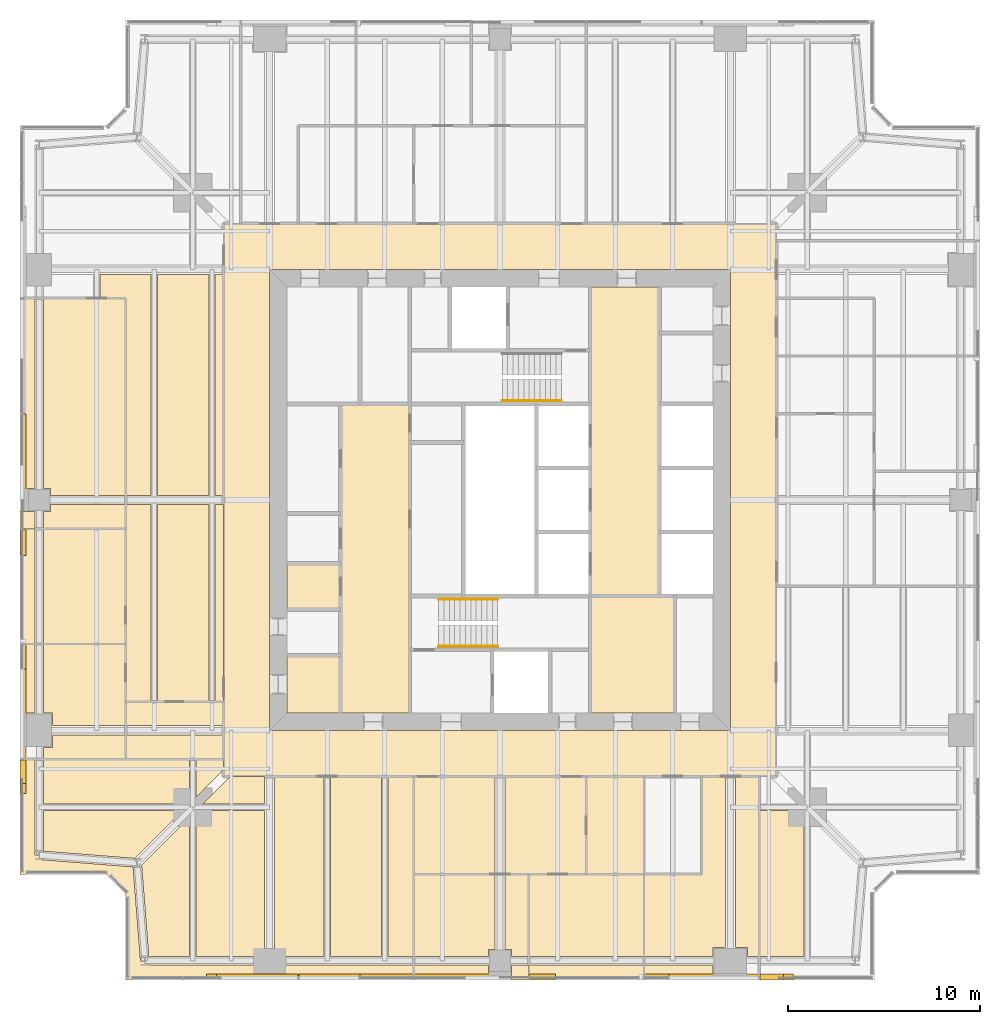
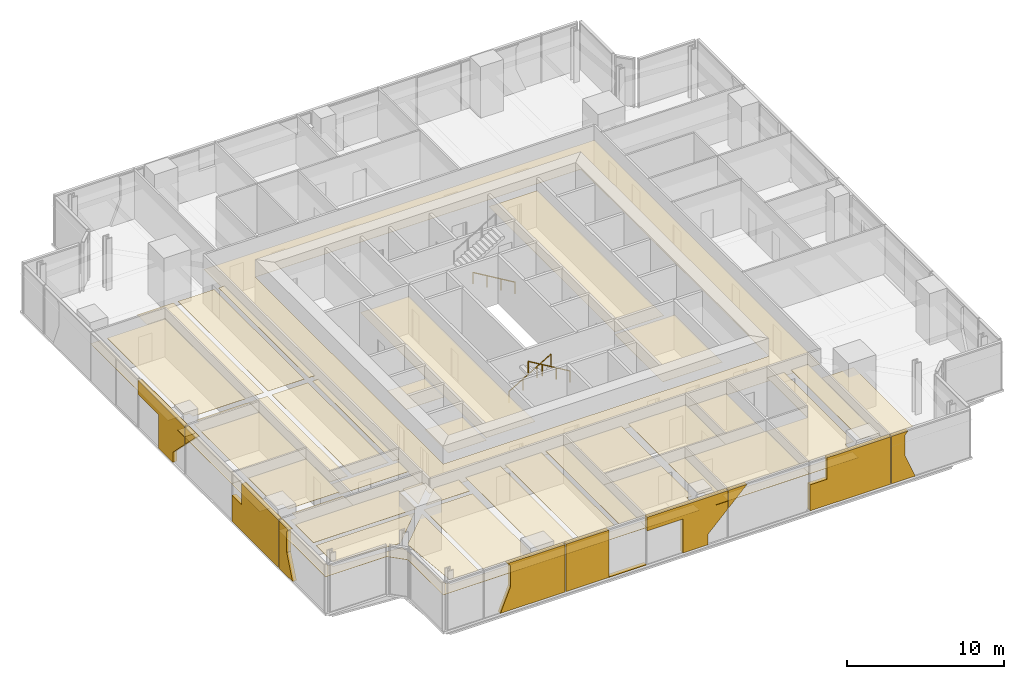
# One storey, part 13 of 15: 56 coverings, 3 railings.
"""IFC4 building model written with IfcOpenShell, lengths in metres."""

from ifc_helpers import new_model, si_unit, direction, frame, origin, origin_2d, place, context, subcontext, project, spatial, polyline, circle, outline, extrude, material, layer, layer_set, type_object, element, save


model = new_model("IFC4")

# Units and contexts
model_context = context("Model", 3, precision=1e-05, world=origin(), true_north=direction((0.0, 1.0)))
body_context = subcontext(model_context, "Body", "Model", "MODEL_VIEW")
ifc_project = project(units=[si_unit("LENGTHUNIT", "METRE"), si_unit("AREAUNIT", "SQUARE_METRE"), si_unit("VOLUMEUNIT", "CUBIC_METRE"), si_unit("PLANEANGLEUNIT", "RADIAN"), si_unit("MASSUNIT", "GRAM", prefix="KILO")], contexts=[model_context])

# Site, building, storey
site_placement = place(None, origin())
site = spatial("IfcSite", under=ifc_project, at=site_placement, CompositionType="ELEMENT")
building_placement = place(site_placement, origin())
building = spatial("IfcBuilding", under=site, at=building_placement, Name="Fenwick Lantern Interchange", CompositionType="ELEMENT")
storey_placement = place(building_placement, frame((0.0, 0.0, 229.800048828125)))
storey = spatial("IfcBuildingStorey", under=building, at=storey_placement, Name="L54", CompositionType="ELEMENT", Elevation=229.800048828125)

# Coverings
ifc_material_1 = material(Name="Mineral fibre acoustic tile on suspended grid")
ifc_layer_1 = layer(ifc_material_1, 0.02001953125)
ifc_layer_set_1 = layer_set([ifc_layer_1], Name="ACOUSTIC TILE CEILING 20")
covering_type_1 = type_object("IfcCoveringType", Name="ACOUSTIC TILE CEILING 20", PredefinedType="CEILING", material=ifc_layer_set_1)
covering_1_placement = place(storey_placement, frame((0.0, 0.0, 2.884033203125)))
element("IfcCovering", 1, at=covering_1_placement, inside=storey, type_object=covering_type_1, Name="Meeting room ceiling", PredefinedType="CEILING", context=body_context, shape_type="SweptSolid", body=[
    extrude(outline(polyline([(20.5, 5.5), (20.5, 1.224365234375), (24.39990234375, 1.224365234375), (24.39990234375, 1.60009765625), (24.743896484375, 1.60009765625), (24.743896484375, 5.5), (20.5, 5.5)])), origin(), (0.0, 0.0, 1.0), 0.02001953125),
])
covering_2_placement = place(storey_placement, frame((0.0, 0.0, 2.884033203125)))
element("IfcCovering", 2, at=covering_2_placement, inside=storey, type_object=covering_type_1, Name="Meeting room ceiling", PredefinedType="CEILING", context=body_context, shape_type="SweptSolid", body=[
    extrude(outline(polyline([(26.5, 5.5), (25.256103515625, 5.5), (25.256103515625, 1.60009765625), (25.60009765625, 1.60009765625), (25.60009765625, 1.224365234375), (26.5, 1.224365234375), (26.5, 5.5)])), origin(), (0.0, 0.0, 1.0), 0.02001953125),
])
covering_3_placement = place(storey_placement, frame((0.0, 0.0, 2.884033203125)))
element("IfcCovering", 3, at=covering_3_placement, inside=storey, type_object=covering_type_1, Name="Meeting room ceiling", PredefinedType="CEILING", context=body_context, shape_type="SweptSolid", body=[
    extrude(outline(polyline([(20.5, 0.775634765625), (20.5, 0.0), (24.39990234375, 0.0), (24.39990234375, 0.775634765625), (20.5, 0.775634765625)])), origin(), (0.0, 0.0, 1.0), 0.02001953125),
])
covering_4_placement = place(storey_placement, frame((0.0, 0.0, 2.884033203125)))
element("IfcCovering", 4, at=covering_4_placement, inside=storey, type_object=covering_type_1, Name="Meeting room ceiling", PredefinedType="CEILING", context=body_context, shape_type="SweptSolid", body=[
    extrude(outline(polyline([(26.5, 0.0), (26.5, 0.775634765625), (25.60009765625, 0.775634765625), (25.60009765625, 0.0), (26.5, 0.0)])), origin(), (0.0, 0.0, 1.0), 0.02001953125),
])
covering_5_placement = place(storey_placement, frame((0.0, 0.0, 2.884033203125)))
element("IfcCovering", 5, at=covering_5_placement, inside=storey, type_object=covering_type_1, Name="Meeting room ceiling", PredefinedType="CEILING", context=body_context, shape_type="SweptSolid", body=[
    extrude(outline(polyline([(26.5, 5.5), (26.5, 1.224365234375), (32.5, 1.224365234375), (32.5, 5.5), (26.5, 5.5)])), origin(), (0.0, 0.0, 1.0), 0.02001953125),
])
covering_6_placement = place(storey_placement, frame((0.0, 0.0, 2.884033203125)))
element("IfcCovering", 6, at=covering_6_placement, inside=storey, type_object=covering_type_1, Name="Meeting room ceiling", PredefinedType="CEILING", context=body_context, shape_type="SweptSolid", body=[
    extrude(outline(polyline([(32.5, 0.0), (32.5, 0.775634765625), (26.5, 0.775634765625), (26.5, 0.0), (32.5, 0.0)])), origin(), (0.0, 0.0, 1.0), 0.02001953125),
])
covering_7_placement = place(storey_placement, frame((0.0, 0.0, 2.89990234375)))
element("IfcCovering", 7, at=covering_7_placement, inside=storey, type_object=covering_type_1, Name="Open office ceiling", PredefinedType="CEILING", context=body_context, shape_type="SweptSolid", body=[
    extrude(outline(polyline([(9.172119140625, 8.827880859375), (9.166015625, 8.82177734375), (9.166015625, 1.224365234375), (12.743896484375, 1.224365234375), (12.743896484375, 8.833984375), (9.17822265625, 8.833984375), (9.172119140625, 8.827880859375)])), origin(), (0.0, 0.0, 1.0), 0.02001953125),
])
covering_8_placement = place(storey_placement, frame((0.0, 0.0, 2.89990234375)))
element("IfcCovering", 8, at=covering_8_placement, inside=storey, type_object=covering_type_1, Name="Open office ceiling", PredefinedType="CEILING", context=body_context, shape_type="SweptSolid", body=[
    extrude(outline(polyline([(18.833984375, 10.60009765625), (16.166015625, 10.60009765625), (16.166015625, 1.224365234375), (18.833984375, 1.224365234375), (18.833984375, 10.60009765625)])), origin(), (0.0, 0.0, 1.0), 0.02001953125),
])
covering_9_placement = place(storey_placement, frame((0.0, 0.0, 2.89990234375)))
element("IfcCovering", 9, at=covering_9_placement, inside=storey, type_object=covering_type_1, Name="Open office ceiling", PredefinedType="CEILING", context=body_context, shape_type="SweptSolid", body=[
    extrude(outline(polyline([(15.833984375, 10.60009765625), (13.256103515625, 10.60009765625), (13.256103515625, 1.224365234375), (15.833984375, 1.224365234375), (15.833984375, 10.60009765625)])), origin(), (0.0, 0.0, 1.0), 0.02001953125),
])
covering_10_placement = place(storey_placement, frame((0.0, 0.0, 2.89990234375)))
element("IfcCovering", 10, at=covering_10_placement, inside=storey, type_object=covering_type_1, Name="Open office ceiling", PredefinedType="CEILING", context=body_context, shape_type="SweptSolid", body=[
    extrude(outline(polyline([(5.5, 0.0), (20.5, 0.0), (20.5, 0.775634765625), (13.0, 0.775634765625), (13.0, 0.775634765625), (6.5, 0.775634765625), (6.5, 1.0), (6.276123046875, 0.982421875), (5.89111328125, 5.89111328125), (0.982421875, 6.276123046875), (1.0, 6.5), (0.775634765625, 6.5), (0.775634765625, 11.5), (0.0, 11.5), (0.0, 5.5), (4.5, 5.5), (5.5, 4.5), (5.5, 0.0)])), origin(), (0.0, 0.0, 1.0), 0.02001953125),
])
covering_11_placement = place(storey_placement, frame((0.0, 0.0, 2.89990234375)))
element("IfcCovering", 11, at=covering_11_placement, inside=storey, type_object=covering_type_1, Name="Open office ceiling", PredefinedType="CEILING", context=body_context, shape_type="SweptSolid", body=[
    extrude(outline(polyline([(8.833984375, 11.5), (1.224365234375, 11.5), (1.224365234375, 9.166015625), (8.82177734375, 9.166015625), (8.827880859375, 9.172119140625), (8.833984375, 9.17822265625), (8.833984375, 11.5)])), origin(), (0.0, 0.0, 1.0), 0.02001953125),
])
covering_12_placement = place(storey_placement, frame((0.0, 0.0, 2.89990234375)))
element("IfcCovering", 12, at=covering_12_placement, inside=storey, type_object=covering_type_1, Name="Open office ceiling", PredefinedType="CEILING", context=body_context, shape_type="SweptSolid", body=[
    extrude(outline(polyline([(5.989501953125, 6.333740234375), (8.489501953125, 8.833984375), (1.224365234375, 8.833984375), (1.224365234375, 6.70751953125), (5.989501953125, 6.333740234375)])), origin(), (0.0, 0.0, 1.0), 0.02001953125),
])
covering_13_placement = place(storey_placement, frame((0.0, 0.0, 2.89990234375)))
element("IfcCovering", 13, at=covering_13_placement, inside=storey, type_object=covering_type_1, Name="Open office ceiling", PredefinedType="CEILING", context=body_context, shape_type="SweptSolid", body=[
    extrude(outline(polyline([(8.833984375, 1.224365234375), (8.833984375, 8.489501953125), (6.333740234375, 5.989501953125), (6.70751953125, 1.224365234375), (8.833984375, 1.224365234375)])), origin(), (0.0, 0.0, 1.0), 0.02001953125),
])
covering_14_placement = place(storey_placement, frame((0.0, 0.0, 2.89990234375)))
element("IfcCovering", 14, at=covering_14_placement, inside=storey, type_object=covering_type_1, Name="Open office ceiling", PredefinedType="CEILING", context=body_context, shape_type="SweptSolid", body=[
    extrude(outline(polyline([(20.5, 10.60009765625), (19.166015625, 10.60009765625), (19.166015625, 1.224365234375), (20.5, 1.224365234375), (20.5, 10.60009765625)])), origin(), (0.0, 0.0, 1.0), 0.02001953125),
])
covering_15_placement = place(storey_placement, frame((0.0, 0.0, 2.89990234375)))
element("IfcCovering", 15, at=covering_15_placement, inside=storey, type_object=covering_type_1, Name="Open office ceiling", PredefinedType="CEILING", context=body_context, shape_type="SweptSolid", body=[
    extrude(outline(polyline([(12.743896484375, 10.60009765625), (10.9443359375, 10.60009765625), (9.510498046875, 9.166015625), (12.743896484375, 9.166015625), (12.743896484375, 10.60009765625)])), origin(), (0.0, 0.0, 1.0), 0.02001953125),
])
covering_16_placement = place(storey_placement, frame((0.0, 0.0, 2.89990234375)))
element("IfcCovering", 16, at=covering_16_placement, inside=storey, type_object=covering_type_1, Name="Open office ceiling", PredefinedType="CEILING", context=body_context, shape_type="SweptSolid", body=[
    extrude(outline(polyline([(10.60009765625, 11.5), (9.166015625, 11.5), (9.166015625, 9.510498046875), (10.60009765625, 10.9443359375), (10.60009765625, 11.5)])), origin(), (0.0, 0.0, 1.0), 0.02001953125),
])
covering_17_placement = place(storey_placement, frame((0.0, 0.0, 2.884033203125)))
element("IfcCovering", 17, at=covering_17_placement, inside=storey, type_object=covering_type_1, Name="Meeting room ceiling", PredefinedType="CEILING", context=body_context, shape_type="SweptSolid", body=[
    extrude(outline(polyline([(36.10009765625, 1.699951171875), (36.743896484375, 1.699951171875), (36.743896484375, 10.60009765625), (35.5, 10.60009765625), (35.5, 5.5), (32.5, 5.5), (32.5, 1.224365234375), (36.10009765625, 1.224365234375), (36.10009765625, 1.699951171875)])), origin(), (0.0, 0.0, 1.0), 0.02001953125),
])
covering_18_placement = place(storey_placement, frame((0.0, 0.0, 2.884033203125)))
element("IfcCovering", 18, at=covering_18_placement, inside=storey, type_object=covering_type_1, Name="Meeting room ceiling", PredefinedType="CEILING", context=body_context, shape_type="SweptSolid", body=[
    extrude(outline(polyline([(37.89990234375, 1.699951171875), (37.89990234375, 1.224365234375), (38.5, 1.224365234375), (38.5, 10.60009765625), (37.256103515625, 10.60009765625), (37.256103515625, 1.699951171875), (37.89990234375, 1.699951171875)])), origin(), (0.0, 0.0, 1.0), 0.02001953125),
])
covering_19_placement = place(storey_placement, frame((0.0, 0.0, 2.884033203125)))
element("IfcCovering", 19, at=covering_19_placement, inside=storey, type_object=covering_type_1, Name="Meeting room ceiling", PredefinedType="CEILING", context=body_context, shape_type="SweptSolid", body=[
    extrude(outline(polyline([(36.10009765625, 0.0), (36.10009765625, 0.775634765625), (32.5, 0.775634765625), (32.5, 0.0), (36.10009765625, 0.0)])), origin(), (0.0, 0.0, 1.0), 0.02001953125),
])
covering_20_placement = place(storey_placement, frame((0.0, 0.0, 2.89990234375)))
element("IfcCovering", 20, at=covering_20_placement, inside=storey, type_object=covering_type_1, Name="Open office ceiling", PredefinedType="CEILING", context=body_context, shape_type="SweptSolid", body=[
    extrude(outline(polyline([(38.5, 8.833984375), (38.5, 1.224365234375), (40.833984375, 1.224365234375), (40.833984375, 8.82177734375), (40.827880859375, 8.827880859375), (40.82177734375, 8.833984375), (38.5, 8.833984375)])), origin(), (0.0, 0.0, 1.0), 0.02001953125),
])
covering_21_placement = place(storey_placement, frame((0.0, 0.0, 2.89990234375)))
element("IfcCovering", 21, at=covering_21_placement, inside=storey, type_object=covering_type_1, Name="Open office ceiling", PredefinedType="CEILING", context=body_context, shape_type="SweptSolid", body=[
    extrude(outline(polyline([(7.166015625, 36.756591796875), (7.166015625, 25.224365234375), (9.833984375, 25.224365234375), (9.833984375, 36.756591796875), (7.166015625, 36.756591796875)])), origin(), (0.0, 0.0, 1.0), 0.02001953125),
])
covering_22_placement = place(storey_placement, frame((0.0, 0.0, 2.89990234375)))
element("IfcCovering", 22, at=covering_22_placement, inside=storey, type_object=covering_type_1, Name="Open office ceiling", PredefinedType="CEILING", context=body_context, shape_type="SweptSolid", body=[
    extrude(outline(polyline([(7.166015625, 14.5), (9.833984375, 14.5), (9.833984375, 24.775634765625), (7.166015625, 24.775634765625), (7.166015625, 14.5)])), origin(), (0.0, 0.0, 1.0), 0.02001953125),
])
covering_23_placement = place(storey_placement, frame((0.0, 0.0, 2.89990234375)))
element("IfcCovering", 23, at=covering_23_placement, inside=storey, type_object=covering_type_1, Name="Open office ceiling", PredefinedType="CEILING", context=body_context, shape_type="SweptSolid", body=[
    extrude(outline(polyline([(5.5, 35.5), (5.5, 25.224365234375), (6.833984375, 25.224365234375), (6.833984375, 36.756591796875), (4.166015625, 36.756591796875), (4.166015625, 35.5), (5.5, 35.5)])), origin(), (0.0, 0.0, 1.0), 0.02001953125),
])
covering_24_placement = place(storey_placement, frame((0.0, 0.0, 2.89990234375)))
element("IfcCovering", 24, at=covering_24_placement, inside=storey, type_object=covering_type_1, Name="Open office ceiling", PredefinedType="CEILING", context=body_context, shape_type="SweptSolid", body=[
    extrude(outline(polyline([(5.5, 14.5), (6.833984375, 14.5), (6.833984375, 24.775634765625), (5.5, 24.775634765625), (5.5, 14.5)])), origin(), (0.0, 0.0, 1.0), 0.02001953125),
])
covering_25_placement = place(storey_placement, frame((0.0, 0.0, 2.89990234375)))
element("IfcCovering", 25, at=covering_25_placement, inside=storey, type_object=covering_type_1, Name="Open office ceiling", PredefinedType="CEILING", context=body_context, shape_type="SweptSolid", body=[
    extrude(outline(polyline([(10.60009765625, 25.224365234375), (10.60009765625, 36.756591796875), (10.166015625, 36.756591796875), (10.166015625, 25.224365234375), (10.60009765625, 25.224365234375)])), origin(), (0.0, 0.0, 1.0), 0.02001953125),
])
covering_26_placement = place(storey_placement, frame((0.0, 0.0, 2.89990234375)))
element("IfcCovering", 26, at=covering_26_placement, inside=storey, type_object=covering_type_1, Name="Open office ceiling", PredefinedType="CEILING", context=body_context, shape_type="SweptSolid", body=[
    extrude(outline(polyline([(10.60009765625, 14.5), (10.60009765625, 24.775634765625), (10.166015625, 24.775634765625), (10.166015625, 14.5), (10.60009765625, 14.5)])), origin(), (0.0, 0.0, 1.0), 0.02001953125),
])
covering_27_placement = place(storey_placement, frame((0.0, 0.0, 2.884033203125)))
element("IfcCovering", 27, at=covering_27_placement, inside=storey, type_object=covering_type_1, Name="Board meeting room ceiling", PredefinedType="CEILING", context=body_context, shape_type="SweptSolid", body=[
    extrude(outline(polyline([(5.5, 25.224365234375), (5.5, 35.5), (1.224365234375, 35.5), (1.224365234375, 25.60009765625), (1.60009765625, 25.60009765625), (1.60009765625, 25.224365234375), (5.5, 25.224365234375)])), origin(), (0.0, 0.0, 1.0), 0.02001953125),
])
covering_28_placement = place(storey_placement, frame((0.0, 0.0, 2.884033203125)))
element("IfcCovering", 28, at=covering_28_placement, inside=storey, type_object=covering_type_1, Name="Board meeting room ceiling", PredefinedType="CEILING", context=body_context, shape_type="SweptSolid", body=[
    extrude(outline(polyline([(0.0, 25.60009765625), (0.775634765625, 25.60009765625), (0.775634765625, 35.5), (0.0, 35.5), (0.0, 25.60009765625)])), origin(), (0.0, 0.0, 1.0), 0.02001953125),
])
covering_29_placement = place(storey_placement, frame((0.0, 0.0, 2.884033203125)))
element("IfcCovering", 29, at=covering_29_placement, inside=storey, type_object=covering_type_1, Name="Board meeting room ceiling", PredefinedType="CEILING", context=body_context, shape_type="SweptSolid", body=[
    extrude(outline(polyline([(5.5, 23.5), (5.5, 24.775634765625), (1.60009765625, 24.775634765625), (1.60009765625, 24.39990234375), (1.224365234375, 24.39990234375), (1.224365234375, 23.5), (5.5, 23.5)])), origin(), (0.0, 0.0, 1.0), 0.02001953125),
])
covering_30_placement = place(storey_placement, frame((0.0, 0.0, 2.884033203125)))
element("IfcCovering", 30, at=covering_30_placement, inside=storey, type_object=covering_type_1, Name="Board meeting room ceiling", PredefinedType="CEILING", context=body_context, shape_type="SweptSolid", body=[
    extrude(outline(polyline([(0.0, 23.5), (0.775634765625, 23.5), (0.775634765625, 24.39990234375), (0.0, 24.39990234375), (0.0, 23.5)])), origin(), (0.0, 0.0, 1.0), 0.02001953125),
])
covering_31_placement = place(storey_placement, frame((0.0, 0.0, 2.884033203125)))
element("IfcCovering", 31, at=covering_31_placement, inside=storey, type_object=covering_type_1, Name="Office ceiling", PredefinedType="CEILING", context=body_context, shape_type="SweptSolid", body=[
    extrude(outline(polyline([(5.5, 23.5), (1.224365234375, 23.5), (1.224365234375, 17.5), (5.5, 17.5), (5.5, 23.5)])), origin(), (0.0, 0.0, 1.0), 0.02001953125),
])
covering_32_placement = place(storey_placement, frame((0.0, 0.0, 2.884033203125)))
element("IfcCovering", 32, at=covering_32_placement, inside=storey, type_object=covering_type_1, Name="Office ceiling", PredefinedType="CEILING", context=body_context, shape_type="SweptSolid", body=[
    extrude(outline(polyline([(0.0, 17.5), (0.775634765625, 17.5), (0.775634765625, 23.5), (0.0, 23.5), (0.0, 17.5)])), origin(), (0.0, 0.0, 1.0), 0.02001953125),
])
covering_33_placement = place(storey_placement, frame((0.0, 0.0, 2.884033203125)))
element("IfcCovering", 33, at=covering_33_placement, inside=storey, type_object=covering_type_1, Name="Office ceiling", PredefinedType="CEILING", context=body_context, shape_type="SweptSolid", body=[
    extrude(outline(polyline([(5.5, 17.5), (1.224365234375, 17.5), (1.224365234375, 13.89990234375), (1.699951171875, 13.89990234375), (1.699951171875, 13.243408203125), (5.5, 13.243408203125), (5.5, 17.5)])), origin(), (0.0, 0.0, 1.0), 0.02001953125),
])
covering_34_placement = place(storey_placement, frame((0.0, 0.0, 2.884033203125)))
element("IfcCovering", 34, at=covering_34_placement, inside=storey, type_object=covering_type_1, Name="Office ceiling", PredefinedType="CEILING", context=body_context, shape_type="SweptSolid", body=[
    extrude(outline(polyline([(5.5, 11.5), (5.5, 12.756591796875), (1.699951171875, 12.756591796875), (1.699951171875, 12.10009765625), (1.224365234375, 12.10009765625), (1.224365234375, 11.5), (5.5, 11.5)])), origin(), (0.0, 0.0, 1.0), 0.02001953125),
])
covering_35_placement = place(storey_placement, frame((0.0, 0.0, 2.884033203125)))
element("IfcCovering", 35, at=covering_35_placement, inside=storey, type_object=covering_type_1, Name="Office ceiling", PredefinedType="CEILING", context=body_context, shape_type="SweptSolid", body=[
    extrude(outline(polyline([(0.775634765625, 17.5), (0.0, 17.5), (0.0, 13.89990234375), (0.775634765625, 13.89990234375), (0.775634765625, 17.5)])), origin(), (0.0, 0.0, 1.0), 0.02001953125),
])
ifc_material_2 = material(Name="Granite cladding, warm grey flamed finish, on aluminium carrier frame", Category="masonry")
ifc_layer_2 = layer(ifc_material_2, 0.300048828125)
ifc_layer_set_2 = layer_set([ifc_layer_2], Name="BRACE CASING PANEL 300")
covering_type_2 = type_object("IfcCoveringType", Name="BRACE CASING PANEL 300", PredefinedType="CLADDING", material=ifc_layer_set_2)
covering_36_placement = place(storey_placement, frame((5.60009765625, 0.10009765625, 0.0), z_axis=(0.0, 0.0, 1.0), x_axis=(1.0, 0.0, 0.0)))
element("IfcCovering", 36, at=covering_36_placement, inside=storey, type_object=covering_type_2, Name="Brace casing 01 bay 01a", PredefinedType="CLADDING", context=body_context, shape_type="SweptSolid", body=[
    extrude(outline(polyline([(4.113525390625, 0.0), (8.867431640625, 0.0), (8.867431640625, 3.699951171875), (4.637451171875, 3.699951171875), (4.8544921875, 3.463134765625), (4.8544921875, 1.810791015625), (4.113525390625, 0.0)])), frame((0.0, 0.2001953125, 0.0), z_axis=(0.0, -1.0, 0.0), x_axis=(1.0, 0.0, 0.0)), (0.0, 0.0, 1.0), 0.300048828125),
])
covering_37_placement = place(storey_placement, frame((5.60009765625, 0.10009765625, 0.0), z_axis=(0.0, 0.0, 1.0), x_axis=(1.0, 0.0, 0.0)))
element("IfcCovering", 37, at=covering_37_placement, inside=storey, type_object=covering_type_2, Name="Brace casing 01 bay 02a", PredefinedType="CLADDING", context=body_context, shape_type="SweptSolid", body=[
    extrude(outline(polyline([(8.9326171875, 0.0), (14.867431640625, 0.0), (14.867431640625, 0.039306640625), (12.103271484375, 0.039306640625), (12.103271484375, 3.699951171875), (8.9326171875, 3.699951171875), (8.9326171875, 0.0)])), frame((0.0, 0.2001953125, 0.0), z_axis=(0.0, -1.0, 0.0), x_axis=(1.0, 0.0, 0.0)), (0.0, 0.0, 1.0), 0.300048828125),
])
covering_38_placement = place(storey_placement, frame((5.60009765625, 0.10009765625, 0.0), z_axis=(0.0, 0.0, 1.0), x_axis=(1.0, 0.0, 0.0)))
element("IfcCovering", 38, at=covering_38_placement, inside=storey, type_object=covering_type_2, Name="Brace casing 01 bay 03a", PredefinedType="CLADDING", context=body_context, shape_type="SweptSolid", body=[
    extrude(outline(polyline([(17.567626953125, 0.0), (19.39990234375, 0.0), (19.39990234375, 0.804443359375), (20.867431640625, 2.27197265625), (20.867431640625, 3.699951171875), (14.9326171875, 3.699951171875), (14.9326171875, 2.636962890625), (17.567626953125, 2.636962890625), (17.567626953125, 0.0)])), frame((0.0, 0.2001953125, 0.0), z_axis=(0.0, -1.0, 0.0), x_axis=(1.0, 0.0, 0.0)), (0.0, 0.0, 1.0), 0.300048828125),
])
covering_39_placement = place(storey_placement, frame((5.60009765625, 0.10009765625, 2.3369140625), z_axis=(0.0, 0.0, 1.0), x_axis=(1.0, 0.0, 0.0)))
element("IfcCovering", 39, at=covering_39_placement, inside=storey, type_object=covering_type_2, Name="Brace casing 01 bay 04a", PredefinedType="CLADDING", context=body_context, shape_type="SweptSolid", body=[
    extrude(outline(polyline([(20.9326171875, 0.0), (22.295654296875, 1.363037109375), (20.9326171875, 1.363037109375), (20.9326171875, 0.0)])), frame((0.0, 0.2001953125, 0.0), z_axis=(0.0, -1.0, 0.0), x_axis=(1.0, 0.0, 0.0)), (0.0, 0.0, 1.0), 0.300048828125),
])
covering_40_placement = place(storey_placement, frame((5.60009765625, 0.10009765625, 0.0), z_axis=(0.0, 0.0, 1.0), x_axis=(1.0, 0.0, 0.0)))
element("IfcCovering", 40, at=covering_40_placement, inside=storey, type_object=covering_type_2, Name="Brace casing 01 bay 05a", PredefinedType="CLADDING", context=body_context, shape_type="SweptSolid", body=[
    extrude(outline(polyline([(26.9326171875, 0.0), (32.867431640625, 0.0), (32.867431640625, 3.699951171875), (28.197509765625, 3.699951171875), (28.197509765625, 2.02587890625), (26.9326171875, 2.02587890625), (26.9326171875, 0.0)])), frame((0.0, 0.2001953125, 0.0), z_axis=(0.0, -1.0, 0.0), x_axis=(1.0, 0.0, 0.0)), (0.0, 0.0, 1.0), 0.300048828125),
])
covering_41_placement = place(storey_placement, frame((5.60009765625, 0.10009765625, 0.0), z_axis=(0.0, 0.0, 1.0), x_axis=(1.0, 0.0, 0.0)))
element("IfcCovering", 41, at=covering_41_placement, inside=storey, type_object=covering_type_2, Name="Brace casing 01 bay 06a", PredefinedType="CLADDING", context=body_context, shape_type="SweptSolid", body=[
    extrude(outline(polyline([(32.9326171875, 0.0), (34.6865234375, 0.0), (33.945556640625, 1.810791015625), (33.945556640625, 3.463134765625), (34.16259765625, 3.699951171875), (32.9326171875, 3.699951171875), (32.9326171875, 0.0)])), frame((0.0, 0.2001953125, 0.0), z_axis=(0.0, -1.0, 0.0), x_axis=(1.0, 0.0, 0.0)), (0.0, 0.0, 1.0), 0.300048828125),
])
covering_42_placement = place(storey_placement, frame((0.10009765625, 44.39990234375, 0.0), z_axis=(0.0, 0.0, 1.0), x_axis=(0.0, -1.0, 0.0)))
element("IfcCovering", 42, at=covering_42_placement, inside=storey, type_object=covering_type_2, Name="Brace casing 13 bay 03a", PredefinedType="CLADDING", context=body_context, shape_type="SweptSolid", body=[
    extrude(outline(polyline([(17.567626953125, 0.0), (19.39990234375, 0.0), (19.39990234375, 0.804443359375), (20.867431640625, 2.27197265625), (20.867431640625, 3.699951171875), (14.9326171875, 3.699951171875), (14.9326171875, 2.636962890625), (17.567626953125, 2.636962890625), (17.567626953125, 0.0)])), frame((0.0, 0.2001953125, 0.0), z_axis=(0.0, -1.0, 0.0), x_axis=(1.0, 0.0, 0.0)), (0.0, 0.0, 1.0), 0.300048828125),
])
covering_43_placement = place(storey_placement, frame((0.10009765625, 44.39990234375, 2.3369140625), z_axis=(0.0, 0.0, 1.0), x_axis=(0.0, -1.0, 0.0)))
element("IfcCovering", 43, at=covering_43_placement, inside=storey, type_object=covering_type_2, Name="Brace casing 13 bay 04a", PredefinedType="CLADDING", context=body_context, shape_type="SweptSolid", body=[
    extrude(outline(polyline([(20.9326171875, 0.0), (22.295654296875, 1.363037109375), (20.9326171875, 1.363037109375), (20.9326171875, 0.0)])), frame((0.0, 0.2001953125, 0.0), z_axis=(0.0, -1.0, 0.0), x_axis=(1.0, 0.0, 0.0)), (0.0, 0.0, 1.0), 0.300048828125),
])
covering_44_placement = place(storey_placement, frame((0.10009765625, 44.39990234375, 0.0), z_axis=(0.0, 0.0, 1.0), x_axis=(0.0, -1.0, 0.0)))
element("IfcCovering", 44, at=covering_44_placement, inside=storey, type_object=covering_type_2, Name="Brace casing 13 bay 05a", PredefinedType="CLADDING", context=body_context, shape_type="SweptSolid", body=[
    extrude(outline(polyline([(26.9326171875, 0.0), (32.867431640625, 0.0), (32.867431640625, 3.699951171875), (28.197509765625, 3.699951171875), (28.197509765625, 2.02587890625), (26.9326171875, 2.02587890625), (26.9326171875, 0.0)])), frame((0.0, 0.2001953125, 0.0), z_axis=(0.0, -1.0, 0.0), x_axis=(1.0, 0.0, 0.0)), (0.0, 0.0, 1.0), 0.300048828125),
])
covering_45_placement = place(storey_placement, frame((0.10009765625, 44.39990234375, 0.0), z_axis=(0.0, 0.0, 1.0), x_axis=(0.0, -1.0, 0.0)))
element("IfcCovering", 45, at=covering_45_placement, inside=storey, type_object=covering_type_2, Name="Brace casing 13 bay 06a", PredefinedType="CLADDING", context=body_context, shape_type="SweptSolid", body=[
    extrude(outline(polyline([(32.9326171875, 0.0), (34.6865234375, 0.0), (33.945556640625, 1.810791015625), (33.945556640625, 3.463134765625), (34.16259765625, 3.699951171875), (32.9326171875, 3.699951171875), (32.9326171875, 0.0)])), frame((0.0, 0.2001953125, 0.0), z_axis=(0.0, -1.0, 0.0), x_axis=(1.0, 0.0, 0.0)), (0.0, 0.0, 1.0), 0.300048828125),
])

# Railings
ifc_material_3 = material(Name="Stainless steel handrail", Category="steel")
railing_type = type_object("IfcRailingType", Name="HANDRAIL 900", PredefinedType="HANDRAIL", material=ifc_material_3)
railing_placement = place(storey_placement, frame((21.800048828125, 19.825927734375, 0.16650390625)))
element("IfcRailing", 46, at=railing_placement, inside=storey, type_object=railing_type, Name="L54/STAIR/ST1/HR1", PredefinedType="HANDRAIL", context=body_context, shape_type="SweptSolid", body=[
    extrude(circle(Radius=0.02392578125, at=origin_2d()), frame((0.0, 0.0, 0.8759765625), z_axis=(0.859260807169, 0.0, 0.511537745687), x_axis=(0.0, 1.0, 0.0)), (0.0, 0.0, 1.0), 3.584228515625),
    extrude(circle(Radius=0.02099609375, at=origin_2d()), origin(), (0.0, 0.0, 1.0), 0.851806640625),
    extrude(circle(Radius=0.02099609375, at=origin_2d()), frame((1.026611328125, 0.0, 0.611083984375)), (0.0, 0.0, 1.0), 0.851806640625),
    extrude(circle(Radius=0.02099609375, at=origin_2d()), frame((2.05322265625, 0.0, 1.222412109375)), (0.0, 0.0, 1.0), 0.851806640625),
    extrude(circle(Radius=0.02099609375, at=origin_2d()), frame((3.079833984375, 0.0, 1.83349609375)), (0.0, 0.0, 1.0), 0.851806640625),
])
for number, where, name in (
    (47, (24.8798828125, 17.3740234375, 2.16650390625), "L54/STAIR/ST1/HR2"),
    (48, (28.199951171875, 30.174072265625, 0.16650390625), "L54/STAIR/ST2/HR1"),
):
    element("IfcRailing", number, at=place(storey_placement, frame(where)), inside=storey, type_object=railing_type, Name=name, PredefinedType="HANDRAIL", context=body_context, shape_type="SweptSolid", body=[
        extrude(circle(Radius=0.02392578125, at=origin_2d()), frame((0.0, 0.0, 0.8759765625), z_axis=(-0.859260807169, 0.0, 0.511537745687), x_axis=(0.0, -1.0, 0.0)), (0.0, 0.0, 1.0), 3.584228515625),
        extrude(circle(Radius=0.02099609375, at=origin_2d()), origin(), (0.0, 0.0, 1.0), 0.851806640625),
        extrude(circle(Radius=0.02099609375, at=origin_2d()), frame((-1.026611328125, 0.0, 0.611083984375)), (0.0, 0.0, 1.0), 0.851806640625),
        extrude(circle(Radius=0.02099609375, at=origin_2d()), frame((-2.05322265625, 0.0, 1.222412109375)), (0.0, 0.0, 1.0), 0.851806640625),
        extrude(circle(Radius=0.02099609375, at=origin_2d()), frame((-3.079833984375, 0.0, 1.83349609375)), (0.0, 0.0, 1.0), 0.851806640625),
    ])

# Coverings
ifc_material_4 = material(Name="Moisture resistant gypsum board on suspended frame, painted")
ifc_layer_3 = layer(ifc_material_4, 0.014892578125)
ifc_layer_set_3 = layer_set([ifc_layer_3], Name="MOISTURE RESISTANT CEILING 15")
covering_type_3 = type_object("IfcCoveringType", Name="MOISTURE RESISTANT CEILING 15", PredefinedType="CEILING", material=ifc_layer_set_3)
covering_46_placement = place(storey_placement, frame((0.0, 0.0, 2.599853515625)))
element("IfcCovering", 49, at=covering_46_placement, inside=storey, type_object=covering_type_3, Name="Women's WC ceiling", PredefinedType="CEILING", context=body_context, shape_type="SweptSolid", body=[
    extrude(outline(polyline([(29.699951171875, 13.89990234375), (34.10009765625, 13.89990234375), (34.10009765625, 20.0), (29.699951171875, 20.0), (29.699951171875, 13.89990234375)])), origin(), (0.0, 0.0, 1.0), 0.01513671875),
])
covering_47_placement = place(storey_placement, frame((0.0, 0.0, 2.599853515625)))
element("IfcCovering", 50, at=covering_47_placement, inside=storey, type_object=covering_type_3, Name="Accessible WC ceiling", PredefinedType="CEILING", context=body_context, shape_type="SweptSolid", body=[
    extrude(outline(polyline([(13.89990234375, 13.89990234375), (16.699951171875, 13.89990234375), (16.699951171875, 16.89990234375), (13.89990234375, 16.89990234375), (13.89990234375, 13.89990234375)])), origin(), (0.0, 0.0, 1.0), 0.01513671875),
])
covering_48_placement = place(storey_placement, frame((0.0, 0.0, 2.699951171875)))
element("IfcCovering", 51, at=covering_48_placement, inside=storey, type_object=covering_type_3, Name="Pantry ceiling", PredefinedType="CEILING", context=body_context, shape_type="SweptSolid", body=[
    extrude(outline(polyline([(13.89990234375, 19.300048828125), (16.699951171875, 19.300048828125), (16.699951171875, 21.699951171875), (13.89990234375, 21.699951171875), (13.89990234375, 19.300048828125)])), origin(), (0.0, 0.0, 1.0), 0.014892578125),
])
covering_49_placement = place(storey_placement, frame((0.0, 0.0, 2.699951171875)))
element("IfcCovering", 52, at=covering_49_placement, inside=storey, type_object=covering_type_3, Name="Pantry ceiling", PredefinedType="CEILING", context=body_context, shape_type="SweptSolid", body=[
    extrude(outline(polyline([(29.5, 5.5), (32.5, 5.5), (32.5, 10.60009765625), (29.5, 10.60009765625), (29.5, 5.5)])), origin(), (0.0, 0.0, 1.0), 0.014892578125),
])
ifc_material_5 = material(Name="Gypsum plasterboard on suspended frame, painted")
ifc_layer_4 = layer(ifc_material_5, 0.014892578125)
ifc_layer_set_4 = layer_set([ifc_layer_4], Name="PLASTERBOARD CEILING 15")
covering_type_4 = type_object("IfcCoveringType", Name="PLASTERBOARD CEILING 15", PredefinedType="CEILING", material=ifc_layer_set_4)
covering_50_placement = place(storey_placement, frame((0.0, 0.0, 2.800048828125)))
element("IfcCovering", 53, at=covering_50_placement, inside=storey, type_object=covering_type_4, Name="Lift lobby ceiling", PredefinedType="CEILING", context=body_context, shape_type="SweptSolid", body=[
    extrude(outline(polyline([(16.699951171875, 13.89990234375), (20.300048828125, 13.89990234375), (20.300048828125, 30.0), (16.699951171875, 30.0), (16.699951171875, 13.89990234375)])), origin(), (0.0, 0.0, 1.0), 0.014892578125),
])
covering_51_placement = place(storey_placement, frame((0.0, 0.0, 2.800048828125)))
element("IfcCovering", 54, at=covering_51_placement, inside=storey, type_object=covering_type_4, Name="Lift lobby ceiling", PredefinedType="CEILING", context=body_context, shape_type="SweptSolid", body=[
    extrude(outline(polyline([(33.300048828125, 36.10009765625), (29.699951171875, 36.10009765625), (29.699951171875, 20.0), (33.300048828125, 20.0), (33.300048828125, 36.10009765625)])), origin(), (0.0, 0.0, 1.0), 0.014892578125),
])
covering_52_placement = place(storey_placement, frame((0.0, 0.0, 2.599853515625)))
element("IfcCovering", 55, at=covering_52_placement, inside=storey, type_object=covering_type_4, Name="Corridor ceiling", PredefinedType="CEILING", context=body_context, shape_type="SweptSolid", body=[
    extrude(outline(polyline([(10.60009765625, 10.60009765625), (39.39990234375, 10.60009765625), (39.39990234375, 39.39990234375), (10.60009765625, 39.39990234375), (10.60009765625, 10.60009765625)]), holes=[polyline([(13.0, 13.0), (13.0, 37.0), (37.0, 37.0), (37.0, 13.0), (13.0, 13.0)])]), origin(), (0.0, 0.0, 1.0), 0.01513671875),
])
covering_53_placement = place(storey_placement, frame((0.0, 0.0, 2.88916015625)))
element("IfcCovering", 56, at=covering_53_placement, inside=storey, type_object=covering_type_4, Name="Reception ceiling", PredefinedType="CEILING", context=body_context, shape_type="SweptSolid", body=[
    extrude(outline(polyline([(20.5, 10.60009765625), (20.5, 5.5), (24.743896484375, 5.5), (24.743896484375, 10.60009765625), (20.5, 10.60009765625)])), origin(), (0.0, 0.0, 1.0), 0.014892578125),
])
covering_54_placement = place(storey_placement, frame((0.0, 0.0, 2.88916015625)))
element("IfcCovering", 57, at=covering_54_placement, inside=storey, type_object=covering_type_4, Name="Reception ceiling", PredefinedType="CEILING", context=body_context, shape_type="SweptSolid", body=[
    extrude(outline(polyline([(29.5, 10.60009765625), (25.256103515625, 10.60009765625), (25.256103515625, 5.5), (29.5, 5.5), (29.5, 10.60009765625)])), origin(), (0.0, 0.0, 1.0), 0.014892578125),
])
covering_55_placement = place(storey_placement, frame((0.0, 0.0, 2.699951171875)))
element("IfcCovering", 58, at=covering_55_placement, inside=storey, type_object=covering_type_4, Name="Wellness room ceiling", PredefinedType="CEILING", context=body_context, shape_type="SweptSolid", body=[
    extrude(outline(polyline([(10.60009765625, 11.5), (10.60009765625, 12.756591796875), (5.5, 12.756591796875), (5.5, 11.5), (10.60009765625, 11.5)])), origin(), (0.0, 0.0, 1.0), 0.014892578125),
])
covering_56_placement = place(storey_placement, frame((0.0, 0.0, 2.699951171875)))
element("IfcCovering", 59, at=covering_56_placement, inside=storey, type_object=covering_type_4, Name="Wellness room ceiling", PredefinedType="CEILING", context=body_context, shape_type="SweptSolid", body=[
    extrude(outline(polyline([(5.5, 14.5), (5.5, 13.243408203125), (10.60009765625, 13.243408203125), (10.60009765625, 14.5), (5.5, 14.5)])), origin(), (0.0, 0.0, 1.0), 0.014892578125),
])

save(model, "model.ifc")
